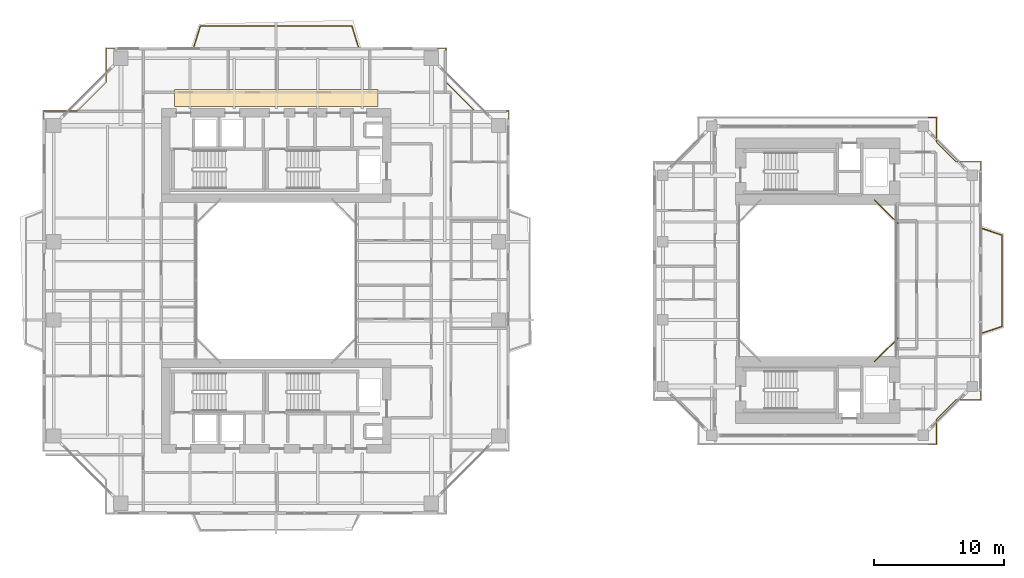
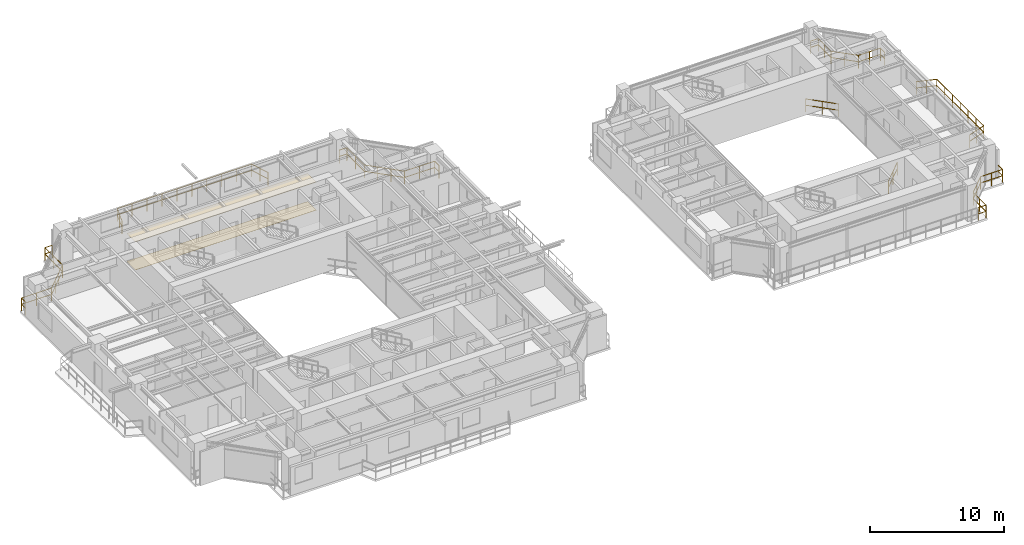
# One storey, part 23 of 23: 8 railings, 2 coverings.
"""IFC4 building model written with IfcOpenShell, lengths in metres."""

from ifc_helpers import new_model, si_unit, direction, frame, origin, origin_2d, place, context, subcontext, project, spatial, polyline, rectangle, outline, extrude, material, layer, layer_set, type_object, element, save


model = new_model("IFC4")

# Units and contexts
model_context = context("Model", 3, precision=1e-05, world=origin(), true_north=direction((0.0, 1.0)))
body_context = subcontext(model_context, "Body", "Model", "MODEL_VIEW")
ifc_project = project(units=[si_unit("LENGTHUNIT", "METRE"), si_unit("AREAUNIT", "SQUARE_METRE"), si_unit("VOLUMEUNIT", "CUBIC_METRE"), si_unit("PLANEANGLEUNIT", "RADIAN"), si_unit("MASSUNIT", "GRAM", prefix="KILO"), si_unit("THERMODYNAMICTEMPERATUREUNIT", "KELVIN"), si_unit("POWERUNIT", "WATT")], contexts=[model_context])

# Site, building, storey
site_placement = place(None, origin())
site = spatial("IfcSite", under=ifc_project, at=site_placement, CompositionType="ELEMENT")
building_placement = place(site_placement, origin())
building = spatial("IfcBuilding", under=site, at=building_placement, Name="Qiaomeng Ring Towers", CompositionType="ELEMENT")
storey_placement = place(building_placement, frame((0.0, 0.0, 100.25)))
storey = spatial("IfcBuildingStorey", under=building, at=storey_placement, Name="L28", CompositionType="ELEMENT", Elevation=100.25)

# Coverings
ifc_material_1 = material(Name="Mineral fibre acoustic ceiling tile", Category="gypsum")
ifc_layer_1 = layer(ifc_material_1, 0.02490234375, Name="Mineral fibre acoustic ceiling tile")
ifc_layer_set_1 = layer_set([ifc_layer_1], Name="Mineral fibre acoustic ceiling tile")
covering_type_1 = type_object("IfcCoveringType", Name="ARC-COV-CEIL1", PredefinedType="CEILING", material=ifc_layer_set_1)
covering_1_placement = place(storey_placement, frame((0.0, 0.0, 2.550048828125)))
element("IfcCovering", 1, at=covering_1_placement, inside=storey, type_object=covering_type_1, Name="L28 Corridor Acoustic Ceiling", PredefinedType="CEILING", context=body_context, shape_type="SweptSolid", body=[
    extrude(outline(polyline([(11.199951171875, 36.35009765625), (11.199951171875, 37.64990234375), (26.800048828125, 37.64990234375), (26.800048828125, 36.35009765625), (11.199951171875, 36.35009765625)])), origin(), (0.0, 0.0, 1.0), 0.02490234375),
])
ifc_material_2 = material(Name="Vitrified porcelain floor tile", Category="ceramic")
ifc_layer_2 = layer(ifc_material_2, 0.02001953125, Name="Vitrified porcelain floor tile")
ifc_layer_set_2 = layer_set([ifc_layer_2], Name="Vitrified porcelain floor tile")
covering_type_2 = type_object("IfcCoveringType", Name="ARC-COV-FLR1", PredefinedType="FLOORING", material=ifc_layer_set_2)
covering_2_placement = place(storey_placement, origin())
element("IfcCovering", 2, at=covering_2_placement, inside=storey, type_object=covering_type_2, Name="L28 Corridor Stone Flooring", PredefinedType="FLOORING", context=body_context, shape_type="SweptSolid", body=[
    extrude(outline(polyline([(11.199951171875, 36.35009765625), (11.199951171875, 37.64990234375), (26.800048828125, 37.64990234375), (26.800048828125, 36.35009765625), (11.199951171875, 36.35009765625)])), origin(), (0.0, 0.0, 1.0), 0.02001953125),
])

# Railings
ifc_material_3 = material(Name="Low-E pale-green laminated safety glass", Category="glass")
railing_type = type_object("IfcRailingType", Name="ARC-RL-BAL1", PredefinedType="BALUSTRADE", material=ifc_material_3)
railing_1_placement = place(storey_placement, frame((36.820068359375, 35.3701171875, 0.0)))
element("IfcRailing", 3, at=railing_1_placement, inside=storey, type_object=railing_type, Name="L28 Balustrade ARC-BAL-NOTCH1-L28-NE", PredefinedType="BALUSTRADE", context=body_context, shape_type="SweptSolid", body=[
    extrude(rectangle(XDim=0.048095703125, YDim=0.048095703125, at=origin_2d()), frame((0.0, 0.0, 1.17578125), z_axis=(0.0, 1.0, 0.0), x_axis=(-1.0, 0.0, 0.0)), (0.0, 0.0, 1.0), 0.64990234375),
    extrude(rectangle(XDim=0.048095703125, YDim=0.048095703125, at=origin_2d()), frame((0.0, 0.0, 0.60009765625), z_axis=(0.0, 1.0, 0.0), x_axis=(-1.0, 0.0, 0.0)), (0.0, 0.0, 1.0), 0.64990234375),
    extrude(rectangle(XDim=0.048095703125, YDim=0.048095703125, at=origin_2d()), frame((0.0, 0.64990234375, 1.17578125), z_axis=(-1.0, 0.0, 0.0), x_axis=(0.0, -1.0, 0.0)), (0.0, 0.0, 1.0), 2.60009765625),
    extrude(rectangle(XDim=0.048095703125, YDim=0.048095703125, at=origin_2d()), frame((0.0, 0.64990234375, 0.60009765625), z_axis=(-1.0, 0.0, 0.0), x_axis=(0.0, -1.0, 0.0)), (0.0, 0.0, 1.0), 2.60009765625),
    extrude(rectangle(XDim=0.048095703125, YDim=0.048095703125, at=origin_2d()), frame((-2.60009765625, 0.64990234375, 1.17578125), z_axis=(-0.707106781187, 0.707106781187, 0.0), x_axis=(-0.707106781187, -0.707106781187, 0.0)), (0.0, 0.0, 1.0), 3.111083984375),
    extrude(rectangle(XDim=0.048095703125, YDim=0.048095703125, at=origin_2d()), frame((-2.60009765625, 0.64990234375, 0.60009765625), z_axis=(-0.707106781187, 0.707106781187, 0.0), x_axis=(-0.707106781187, -0.707106781187, 0.0)), (0.0, 0.0, 1.0), 3.111083984375),
    extrude(rectangle(XDim=0.048095703125, YDim=0.048095703125, at=origin_2d()), frame((-4.800048828125, 2.849853515625, 1.17578125), z_axis=(0.0, 1.0, 0.0), x_axis=(-1.0, 0.0, 0.0)), (0.0, 0.0, 1.0), 2.60009765625),
    extrude(rectangle(XDim=0.048095703125, YDim=0.048095703125, at=origin_2d()), frame((-4.800048828125, 2.849853515625, 0.60009765625), z_axis=(0.0, 1.0, 0.0), x_axis=(-1.0, 0.0, 0.0)), (0.0, 0.0, 1.0), 2.60009765625),
    extrude(rectangle(XDim=0.048095703125, YDim=0.048095703125, at=origin_2d()), frame((-4.800048828125, 5.449951171875, 1.17578125), z_axis=(-1.0, 0.0, 0.0), x_axis=(0.0, -1.0, 0.0)), (0.0, 0.0, 1.0), 0.64990234375),
    extrude(rectangle(XDim=0.048095703125, YDim=0.048095703125, at=origin_2d()), frame((-4.800048828125, 5.449951171875, 0.60009765625), z_axis=(-1.0, 0.0, 0.0), x_axis=(0.0, -1.0, 0.0)), (0.0, 0.0, 1.0), 0.64990234375),
    extrude(rectangle(XDim=0.0419921875, YDim=0.0419921875, at=origin_2d()), origin(), (0.0, 0.0, 1.0), 1.15185546875),
    extrude(rectangle(XDim=0.0419921875, YDim=0.0419921875, at=origin_2d()), frame((0.0, 0.64990234375, 0.0)), (0.0, 0.0, 1.0), 1.15185546875),
    extrude(rectangle(XDim=0.0419921875, YDim=0.0419921875, at=origin_2d()), frame((-1.300048828125, 0.64990234375, 0.0)), (0.0, 0.0, 1.0), 1.15185546875),
    extrude(rectangle(XDim=0.0419921875, YDim=0.0419921875, at=origin_2d()), frame((-2.60009765625, 0.64990234375, 0.0)), (0.0, 0.0, 1.0), 1.15185546875),
    extrude(rectangle(XDim=0.0419921875, YDim=0.0419921875, at=origin_2d()), frame((-3.33349609375, 1.38330078125, 0.0)), (0.0, 0.0, 1.0), 1.15185546875),
    extrude(rectangle(XDim=0.0419921875, YDim=0.0419921875, at=origin_2d()), frame((-4.066650390625, 2.116455078125, 0.0)), (0.0, 0.0, 1.0), 1.15185546875),
    extrude(rectangle(XDim=0.0419921875, YDim=0.0419921875, at=origin_2d()), frame((-4.800048828125, 2.849853515625, 0.0)), (0.0, 0.0, 1.0), 1.15185546875),
    extrude(rectangle(XDim=0.0419921875, YDim=0.0419921875, at=origin_2d()), frame((-4.800048828125, 4.14990234375, 0.0)), (0.0, 0.0, 1.0), 1.15185546875),
    extrude(rectangle(XDim=0.0419921875, YDim=0.0419921875, at=origin_2d()), frame((-4.800048828125, 5.449951171875, 0.0)), (0.0, 0.0, 1.0), 1.15185546875),
    extrude(rectangle(XDim=0.0419921875, YDim=0.0419921875, at=origin_2d()), frame((-5.449951171875, 5.449951171875, 0.0)), (0.0, 0.0, 1.0), 1.15185546875),
])
railing_2_placement = place(storey_placement, frame((6.6298828125, 40.820068359375, 0.0)))
element("IfcRailing", 4, at=railing_2_placement, inside=storey, type_object=railing_type, Name="L28 Balustrade ARC-BAL-NOTCH1-L28-NW", PredefinedType="BALUSTRADE", context=body_context, shape_type="SweptSolid", body=[
    extrude(rectangle(XDim=0.048095703125, YDim=0.048095703125, at=origin_2d()), frame((0.0, 0.0, 1.17578125), z_axis=(-1.0, 0.0, 0.0), x_axis=(0.0, -1.0, 0.0)), (0.0, 0.0, 1.0), 0.64990234375),
    extrude(rectangle(XDim=0.048095703125, YDim=0.048095703125, at=origin_2d()), frame((0.0, 0.0, 0.60009765625), z_axis=(-1.0, 0.0, 0.0), x_axis=(0.0, -1.0, 0.0)), (0.0, 0.0, 1.0), 0.64990234375),
    extrude(rectangle(XDim=0.048095703125, YDim=0.048095703125, at=origin_2d()), frame((-0.64990234375, 0.0, 1.17578125), z_axis=(0.0, -1.0, 0.0), x_axis=(1.0, 0.0, 0.0)), (0.0, 0.0, 1.0), 2.60009765625),
    extrude(rectangle(XDim=0.048095703125, YDim=0.048095703125, at=origin_2d()), frame((-0.64990234375, 0.0, 0.60009765625), z_axis=(0.0, -1.0, 0.0), x_axis=(1.0, 0.0, 0.0)), (0.0, 0.0, 1.0), 2.60009765625),
    extrude(rectangle(XDim=0.048095703125, YDim=0.048095703125, at=origin_2d()), frame((-0.64990234375, -2.60009765625, 1.17578125), z_axis=(-0.707106781187, -0.707106781187, 0.0), x_axis=(0.707106781187, -0.707106781187, 0.0)), (0.0, 0.0, 1.0), 3.111083984375),
    extrude(rectangle(XDim=0.048095703125, YDim=0.048095703125, at=origin_2d()), frame((-0.64990234375, -2.60009765625, 0.60009765625), z_axis=(-0.707106781187, -0.707106781187, 0.0), x_axis=(0.707106781187, -0.707106781187, 0.0)), (0.0, 0.0, 1.0), 3.111083984375),
    extrude(rectangle(XDim=0.048095703125, YDim=0.048095703125, at=origin_2d()), frame((-2.849853515625, -4.800048828125, 1.17578125), z_axis=(-1.0, 0.0, 0.0), x_axis=(0.0, -1.0, 0.0)), (0.0, 0.0, 1.0), 2.60009765625),
    extrude(rectangle(XDim=0.048095703125, YDim=0.048095703125, at=origin_2d()), frame((-2.849853515625, -4.800048828125, 0.60009765625), z_axis=(-1.0, 0.0, 0.0), x_axis=(0.0, -1.0, 0.0)), (0.0, 0.0, 1.0), 2.60009765625),
    extrude(rectangle(XDim=0.048095703125, YDim=0.048095703125, at=origin_2d()), frame((-5.449951171875, -4.800048828125, 1.17578125), z_axis=(0.0, -1.0, 0.0), x_axis=(1.0, 0.0, 0.0)), (0.0, 0.0, 1.0), 0.64990234375),
    extrude(rectangle(XDim=0.048095703125, YDim=0.048095703125, at=origin_2d()), frame((-5.449951171875, -4.800048828125, 0.60009765625), z_axis=(0.0, -1.0, 0.0), x_axis=(1.0, 0.0, 0.0)), (0.0, 0.0, 1.0), 0.64990234375),
    extrude(rectangle(XDim=0.0419921875, YDim=0.0419921875, at=origin_2d()), origin(), (0.0, 0.0, 1.0), 1.15185546875),
    extrude(rectangle(XDim=0.0419921875, YDim=0.0419921875, at=origin_2d()), frame((-0.64990234375, 0.0, 0.0)), (0.0, 0.0, 1.0), 1.15185546875),
    extrude(rectangle(XDim=0.0419921875, YDim=0.0419921875, at=origin_2d()), frame((-0.64990234375, -1.300048828125, 0.0)), (0.0, 0.0, 1.0), 1.15185546875),
    extrude(rectangle(XDim=0.0419921875, YDim=0.0419921875, at=origin_2d()), frame((-0.64990234375, -2.60009765625, 0.0)), (0.0, 0.0, 1.0), 1.15185546875),
    extrude(rectangle(XDim=0.0419921875, YDim=0.0419921875, at=origin_2d()), frame((-1.38330078125, -3.33349609375, 0.0)), (0.0, 0.0, 1.0), 1.15185546875),
    extrude(rectangle(XDim=0.0419921875, YDim=0.0419921875, at=origin_2d()), frame((-2.116455078125, -4.066650390625, 0.0)), (0.0, 0.0, 1.0), 1.15185546875),
    extrude(rectangle(XDim=0.0419921875, YDim=0.0419921875, at=origin_2d()), frame((-2.849853515625, -4.800048828125, 0.0)), (0.0, 0.0, 1.0), 1.15185546875),
    extrude(rectangle(XDim=0.0419921875, YDim=0.0419921875, at=origin_2d()), frame((-4.14990234375, -4.800048828125, 0.0)), (0.0, 0.0, 1.0), 1.15185546875),
    extrude(rectangle(XDim=0.0419921875, YDim=0.0419921875, at=origin_2d()), frame((-5.449951171875, -4.800048828125, 0.0)), (0.0, 0.0, 1.0), 1.15185546875),
    extrude(rectangle(XDim=0.0419921875, YDim=0.0419921875, at=origin_2d()), frame((-5.449951171875, -5.449951171875, 0.0)), (0.0, 0.0, 1.0), 1.15185546875),
])
railing_3_placement = place(storey_placement, frame((12.699951171875, 40.949951171875, 0.0)))
element("IfcRailing", 5, at=railing_3_placement, inside=storey, type_object=railing_type, Name="L28 Balustrade ARC-BAL-L28-T1-N", PredefinedType="BALUSTRADE", context=body_context, shape_type="SweptSolid", body=[
    extrude(rectangle(XDim=0.048095703125, YDim=0.048095703125, at=origin_2d()), frame((0.0, 0.0, 1.17578125), z_axis=(0.299967512283, 0.953949417723, 0.0), x_axis=(-0.953949417723, 0.299967512283, 0.0)), (0.0, 0.0, 1.0), 1.666748046875),
    extrude(rectangle(XDim=0.048095703125, YDim=0.048095703125, at=origin_2d()), frame((0.0, 0.0, 0.60009765625), z_axis=(0.299967512283, 0.953949417723, 0.0), x_axis=(-0.953949417723, 0.299967512283, 0.0)), (0.0, 0.0, 1.0), 1.666748046875),
    extrude(rectangle(XDim=0.048095703125, YDim=0.048095703125, at=origin_2d()), frame((0.5, 1.590087890625, 1.17578125), z_axis=(1.0, 0.0, 0.0), x_axis=(0.0, 1.0, 0.0)), (0.0, 0.0, 1.0), 11.60009765625),
    extrude(rectangle(XDim=0.048095703125, YDim=0.048095703125, at=origin_2d()), frame((0.5, 1.590087890625, 0.60009765625), z_axis=(1.0, 0.0, 0.0), x_axis=(0.0, 1.0, 0.0)), (0.0, 0.0, 1.0), 11.60009765625),
    extrude(rectangle(XDim=0.048095703125, YDim=0.048095703125, at=origin_2d()), frame((12.10009765625, 1.590087890625, 1.17578125), z_axis=(0.299967512283, -0.953949417723, 0.0), x_axis=(0.953949417723, 0.299967512283, 0.0)), (0.0, 0.0, 1.0), 1.666748046875),
    extrude(rectangle(XDim=0.048095703125, YDim=0.048095703125, at=origin_2d()), frame((12.10009765625, 1.590087890625, 0.60009765625), z_axis=(0.299967512283, -0.953949417723, 0.0), x_axis=(0.953949417723, 0.299967512283, 0.0)), (0.0, 0.0, 1.0), 1.666748046875),
    extrude(rectangle(XDim=0.0419921875, YDim=0.0419921875, at=origin_2d()), origin(), (0.0, 0.0, 1.0), 1.15185546875),
    extrude(rectangle(XDim=0.0419921875, YDim=0.0419921875, at=origin_2d()), frame((0.25, 0.794921875, 0.0)), (0.0, 0.0, 1.0), 1.15185546875),
    extrude(rectangle(XDim=0.0419921875, YDim=0.0419921875, at=origin_2d()), frame((0.5, 1.590087890625, 0.0)), (0.0, 0.0, 1.0), 1.15185546875),
    extrude(rectangle(XDim=0.0419921875, YDim=0.0419921875, at=origin_2d()), frame((1.788818359375, 1.590087890625, 0.0)), (0.0, 0.0, 1.0), 1.15185546875),
    extrude(rectangle(XDim=0.0419921875, YDim=0.0419921875, at=origin_2d()), frame((3.077880859375, 1.590087890625, 0.0)), (0.0, 0.0, 1.0), 1.15185546875),
    extrude(rectangle(XDim=0.0419921875, YDim=0.0419921875, at=origin_2d()), frame((4.36669921875, 1.590087890625, 0.0)), (0.0, 0.0, 1.0), 1.15185546875),
    extrude(rectangle(XDim=0.0419921875, YDim=0.0419921875, at=origin_2d()), frame((5.655517578125, 1.590087890625, 0.0)), (0.0, 0.0, 1.0), 1.15185546875),
    extrude(rectangle(XDim=0.0419921875, YDim=0.0419921875, at=origin_2d()), frame((6.944580078125, 1.590087890625, 0.0)), (0.0, 0.0, 1.0), 1.15185546875),
    extrude(rectangle(XDim=0.0419921875, YDim=0.0419921875, at=origin_2d()), frame((8.2333984375, 1.590087890625, 0.0)), (0.0, 0.0, 1.0), 1.15185546875),
    extrude(rectangle(XDim=0.0419921875, YDim=0.0419921875, at=origin_2d()), frame((9.522216796875, 1.590087890625, 0.0)), (0.0, 0.0, 1.0), 1.15185546875),
    extrude(rectangle(XDim=0.0419921875, YDim=0.0419921875, at=origin_2d()), frame((10.811279296875, 1.590087890625, 0.0)), (0.0, 0.0, 1.0), 1.15185546875),
    extrude(rectangle(XDim=0.0419921875, YDim=0.0419921875, at=origin_2d()), frame((12.10009765625, 1.590087890625, 0.0)), (0.0, 0.0, 1.0), 1.15185546875),
    extrude(rectangle(XDim=0.0419921875, YDim=0.0419921875, at=origin_2d()), frame((12.35009765625, 0.794921875, 0.0)), (0.0, 0.0, 1.0), 1.15185546875),
    extrude(rectangle(XDim=0.0419921875, YDim=0.0419921875, at=origin_2d()), frame((12.60009765625, 0.0, 0.0)), (0.0, 0.0, 1.0), 1.15185546875),
])
railing_4_placement = place(storey_placement, frame((64.8798828125, 16.820068359375, 0.0)))
element("IfcRailing", 6, at=railing_4_placement, inside=storey, type_object=railing_type, Name="L28 Balustrade ARC-BAL-WELL2-L28-1", PredefinedType="BALUSTRADE", context=body_context, shape_type="SweptSolid", body=[
    extrude(rectangle(XDim=0.048095703125, YDim=0.048095703125, at=origin_2d()), frame((0.0, 0.0, 1.17578125), z_axis=(0.707106781187, 0.707106781187, 0.0), x_axis=(-0.707106781187, 0.707106781187, 0.0)), (0.0, 0.0, 1.0), 2.545654296875),
    extrude(rectangle(XDim=0.048095703125, YDim=0.048095703125, at=origin_2d()), frame((0.0, 0.0, 0.60009765625), z_axis=(0.707106781187, 0.707106781187, 0.0), x_axis=(-0.707106781187, 0.707106781187, 0.0)), (0.0, 0.0, 1.0), 2.545654296875),
    extrude(rectangle(XDim=0.0419921875, YDim=0.0419921875, at=origin_2d()), origin(), (0.0, 0.0, 1.0), 1.15185546875),
    extrude(rectangle(XDim=0.0419921875, YDim=0.0419921875, at=origin_2d()), frame((0.89990234375, 0.89990234375, 0.0)), (0.0, 0.0, 1.0), 1.15185546875),
    extrude(rectangle(XDim=0.0419921875, YDim=0.0419921875, at=origin_2d()), frame((1.800048828125, 1.800048828125, 0.0)), (0.0, 0.0, 1.0), 1.15185546875),
])
railing_5_placement = place(storey_placement, frame((66.679931640625, 27.3798828125, 0.0)))
element("IfcRailing", 7, at=railing_5_placement, inside=storey, type_object=railing_type, Name="L28 Balustrade ARC-BAL-WELL2-L28-2", PredefinedType="BALUSTRADE", context=body_context, shape_type="SweptSolid", body=[
    extrude(rectangle(XDim=0.048095703125, YDim=0.048095703125, at=origin_2d()), frame((0.0, 0.0, 1.17578125), z_axis=(-0.707106781187, 0.707106781187, 0.0), x_axis=(-0.707106781187, -0.707106781187, 0.0)), (0.0, 0.0, 1.0), 2.545654296875),
    extrude(rectangle(XDim=0.048095703125, YDim=0.048095703125, at=origin_2d()), frame((0.0, 0.0, 0.60009765625), z_axis=(-0.707106781187, 0.707106781187, 0.0), x_axis=(-0.707106781187, -0.707106781187, 0.0)), (0.0, 0.0, 1.0), 2.545654296875),
    extrude(rectangle(XDim=0.0419921875, YDim=0.0419921875, at=origin_2d()), origin(), (0.0, 0.0, 1.0), 1.15185546875),
    extrude(rectangle(XDim=0.0419921875, YDim=0.0419921875, at=origin_2d()), frame((-0.89990234375, 0.89990234375, 0.0)), (0.0, 0.0, 1.0), 1.15185546875),
    extrude(rectangle(XDim=0.0419921875, YDim=0.0419921875, at=origin_2d()), frame((-1.800048828125, 1.800048828125, 0.0)), (0.0, 0.0, 1.0), 1.15185546875),
])
railing_6_placement = place(storey_placement, frame((68.969970703125, 10.47998046875, 0.0)))
element("IfcRailing", 8, at=railing_6_placement, inside=storey, type_object=railing_type, Name="L28 Balustrade ARC-BAL-NOTCH2-L28-SE", PredefinedType="BALUSTRADE", context=body_context, shape_type="SweptSolid", body=[
    extrude(rectangle(XDim=0.048095703125, YDim=0.048095703125, at=origin_2d()), frame((0.0, 0.0, 1.17578125), z_axis=(1.0, 0.0, 0.0), x_axis=(0.0, 1.0, 0.0)), (0.0, 0.0, 1.0), 0.650146484375),
    extrude(rectangle(XDim=0.048095703125, YDim=0.048095703125, at=origin_2d()), frame((0.0, 0.0, 0.60009765625), z_axis=(1.0, 0.0, 0.0), x_axis=(0.0, 1.0, 0.0)), (0.0, 0.0, 1.0), 0.650146484375),
    extrude(rectangle(XDim=0.048095703125, YDim=0.048095703125, at=origin_2d()), frame((0.650146484375, 0.0, 1.17578125), z_axis=(0.0, 1.0, 0.0), x_axis=(-1.0, 0.0, 0.0)), (0.0, 0.0, 1.0), 1.89990234375),
    extrude(rectangle(XDim=0.048095703125, YDim=0.048095703125, at=origin_2d()), frame((0.650146484375, 0.0, 0.60009765625), z_axis=(0.0, 1.0, 0.0), x_axis=(-1.0, 0.0, 0.0)), (0.0, 0.0, 1.0), 1.89990234375),
    extrude(rectangle(XDim=0.048095703125, YDim=0.048095703125, at=origin_2d()), frame((0.650146484375, 1.89990234375, 1.17578125), z_axis=(0.707106781187, 0.707106781187, 0.0), x_axis=(-0.707106781187, 0.707106781187, 0.0)), (0.0, 0.0, 1.0), 2.121337890625),
    extrude(rectangle(XDim=0.048095703125, YDim=0.048095703125, at=origin_2d()), frame((0.650146484375, 1.89990234375, 0.60009765625), z_axis=(0.707106781187, 0.707106781187, 0.0), x_axis=(-0.707106781187, 0.707106781187, 0.0)), (0.0, 0.0, 1.0), 2.121337890625),
    extrude(rectangle(XDim=0.048095703125, YDim=0.048095703125, at=origin_2d()), frame((2.150146484375, 3.39990234375, 1.17578125), z_axis=(1.0, 0.0, 0.0), x_axis=(0.0, 1.0, 0.0)), (0.0, 0.0, 1.0), 1.89990234375),
    extrude(rectangle(XDim=0.048095703125, YDim=0.048095703125, at=origin_2d()), frame((2.150146484375, 3.39990234375, 0.60009765625), z_axis=(1.0, 0.0, 0.0), x_axis=(0.0, 1.0, 0.0)), (0.0, 0.0, 1.0), 1.89990234375),
    extrude(rectangle(XDim=0.048095703125, YDim=0.048095703125, at=origin_2d()), frame((4.050048828125, 3.39990234375, 1.17578125), z_axis=(0.0, 1.0, 0.0), x_axis=(-1.0, 0.0, 0.0)), (0.0, 0.0, 1.0), 0.650146484375),
    extrude(rectangle(XDim=0.048095703125, YDim=0.048095703125, at=origin_2d()), frame((4.050048828125, 3.39990234375, 0.60009765625), z_axis=(0.0, 1.0, 0.0), x_axis=(-1.0, 0.0, 0.0)), (0.0, 0.0, 1.0), 0.650146484375),
    extrude(rectangle(XDim=0.0419921875, YDim=0.0419921875, at=origin_2d()), origin(), (0.0, 0.0, 1.0), 1.15185546875),
    extrude(rectangle(XDim=0.0419921875, YDim=0.0419921875, at=origin_2d()), frame((0.650146484375, 0.0, 0.0)), (0.0, 0.0, 1.0), 1.15185546875),
    extrude(rectangle(XDim=0.0419921875, YDim=0.0419921875, at=origin_2d()), frame((0.650146484375, 0.949951171875, 0.0)), (0.0, 0.0, 1.0), 1.15185546875),
    extrude(rectangle(XDim=0.0419921875, YDim=0.0419921875, at=origin_2d()), frame((0.650146484375, 1.89990234375, 0.0)), (0.0, 0.0, 1.0), 1.15185546875),
    extrude(rectangle(XDim=0.0419921875, YDim=0.0419921875, at=origin_2d()), frame((1.400146484375, 2.64990234375, 0.0)), (0.0, 0.0, 1.0), 1.15185546875),
    extrude(rectangle(XDim=0.0419921875, YDim=0.0419921875, at=origin_2d()), frame((2.150146484375, 3.39990234375, 0.0)), (0.0, 0.0, 1.0), 1.15185546875),
    extrude(rectangle(XDim=0.0419921875, YDim=0.0419921875, at=origin_2d()), frame((3.10009765625, 3.39990234375, 0.0)), (0.0, 0.0, 1.0), 1.15185546875),
    extrude(rectangle(XDim=0.0419921875, YDim=0.0419921875, at=origin_2d()), frame((4.050048828125, 3.39990234375, 0.0)), (0.0, 0.0, 1.0), 1.15185546875),
    extrude(rectangle(XDim=0.0419921875, YDim=0.0419921875, at=origin_2d()), frame((4.050048828125, 4.050048828125, 0.0)), (0.0, 0.0, 1.0), 1.15185546875),
])
railing_7_placement = place(storey_placement, frame((73.02001953125, 31.469970703125, 0.0)))
element("IfcRailing", 9, at=railing_7_placement, inside=storey, type_object=railing_type, Name="L28 Balustrade ARC-BAL-NOTCH2-L28-NE", PredefinedType="BALUSTRADE", context=body_context, shape_type="SweptSolid", body=[
    extrude(rectangle(XDim=0.048095703125, YDim=0.048095703125, at=origin_2d()), frame((0.0, 0.0, 1.17578125), z_axis=(0.0, 1.0, 0.0), x_axis=(-1.0, 0.0, 0.0)), (0.0, 0.0, 1.0), 0.650146484375),
    extrude(rectangle(XDim=0.048095703125, YDim=0.048095703125, at=origin_2d()), frame((0.0, 0.0, 0.60009765625), z_axis=(0.0, 1.0, 0.0), x_axis=(-1.0, 0.0, 0.0)), (0.0, 0.0, 1.0), 0.650146484375),
    extrude(rectangle(XDim=0.048095703125, YDim=0.048095703125, at=origin_2d()), frame((0.0, 0.650146484375, 1.17578125), z_axis=(-1.0, 0.0, 0.0), x_axis=(0.0, -1.0, 0.0)), (0.0, 0.0, 1.0), 1.89990234375),
    extrude(rectangle(XDim=0.048095703125, YDim=0.048095703125, at=origin_2d()), frame((0.0, 0.650146484375, 0.60009765625), z_axis=(-1.0, 0.0, 0.0), x_axis=(0.0, -1.0, 0.0)), (0.0, 0.0, 1.0), 1.89990234375),
    extrude(rectangle(XDim=0.048095703125, YDim=0.048095703125, at=origin_2d()), frame((-1.89990234375, 0.650146484375, 1.17578125), z_axis=(-0.707106781187, 0.707106781187, 0.0), x_axis=(-0.707106781187, -0.707106781187, 0.0)), (0.0, 0.0, 1.0), 2.121337890625),
    extrude(rectangle(XDim=0.048095703125, YDim=0.048095703125, at=origin_2d()), frame((-1.89990234375, 0.650146484375, 0.60009765625), z_axis=(-0.707106781187, 0.707106781187, 0.0), x_axis=(-0.707106781187, -0.707106781187, 0.0)), (0.0, 0.0, 1.0), 2.121337890625),
    extrude(rectangle(XDim=0.048095703125, YDim=0.048095703125, at=origin_2d()), frame((-3.39990234375, 2.150146484375, 1.17578125), z_axis=(0.0, 1.0, 0.0), x_axis=(-1.0, 0.0, 0.0)), (0.0, 0.0, 1.0), 1.89990234375),
    extrude(rectangle(XDim=0.048095703125, YDim=0.048095703125, at=origin_2d()), frame((-3.39990234375, 2.150146484375, 0.60009765625), z_axis=(0.0, 1.0, 0.0), x_axis=(-1.0, 0.0, 0.0)), (0.0, 0.0, 1.0), 1.89990234375),
    extrude(rectangle(XDim=0.048095703125, YDim=0.048095703125, at=origin_2d()), frame((-3.39990234375, 4.050048828125, 1.17578125), z_axis=(-1.0, 0.0, 0.0), x_axis=(0.0, -1.0, 0.0)), (0.0, 0.0, 1.0), 0.650146484375),
    extrude(rectangle(XDim=0.048095703125, YDim=0.048095703125, at=origin_2d()), frame((-3.39990234375, 4.050048828125, 0.60009765625), z_axis=(-1.0, 0.0, 0.0), x_axis=(0.0, -1.0, 0.0)), (0.0, 0.0, 1.0), 0.650146484375),
    extrude(rectangle(XDim=0.0419921875, YDim=0.0419921875, at=origin_2d()), origin(), (0.0, 0.0, 1.0), 1.15185546875),
    extrude(rectangle(XDim=0.0419921875, YDim=0.0419921875, at=origin_2d()), frame((0.0, 0.650146484375, 0.0)), (0.0, 0.0, 1.0), 1.15185546875),
    extrude(rectangle(XDim=0.0419921875, YDim=0.0419921875, at=origin_2d()), frame((-0.949951171875, 0.650146484375, 0.0)), (0.0, 0.0, 1.0), 1.15185546875),
    extrude(rectangle(XDim=0.0419921875, YDim=0.0419921875, at=origin_2d()), frame((-1.89990234375, 0.650146484375, 0.0)), (0.0, 0.0, 1.0), 1.15185546875),
    extrude(rectangle(XDim=0.0419921875, YDim=0.0419921875, at=origin_2d()), frame((-2.64990234375, 1.400146484375, 0.0)), (0.0, 0.0, 1.0), 1.15185546875),
    extrude(rectangle(XDim=0.0419921875, YDim=0.0419921875, at=origin_2d()), frame((-3.39990234375, 2.150146484375, 0.0)), (0.0, 0.0, 1.0), 1.15185546875),
    extrude(rectangle(XDim=0.0419921875, YDim=0.0419921875, at=origin_2d()), frame((-3.39990234375, 3.10009765625, 0.0)), (0.0, 0.0, 1.0), 1.15185546875),
    extrude(rectangle(XDim=0.0419921875, YDim=0.0419921875, at=origin_2d()), frame((-3.39990234375, 4.050048828125, 0.0)), (0.0, 0.0, 1.0), 1.15185546875),
    extrude(rectangle(XDim=0.0419921875, YDim=0.0419921875, at=origin_2d()), frame((-4.050048828125, 4.050048828125, 0.0)), (0.0, 0.0, 1.0), 1.15185546875),
])
railing_8_placement = place(storey_placement, frame((73.14990234375, 19.0, 0.0)))
element("IfcRailing", 10, at=railing_8_placement, inside=storey, type_object=railing_type, Name="L28 Balustrade ARC-BAL-L28-T2-E", PredefinedType="BALUSTRADE", context=body_context, shape_type="SweptSolid", body=[
    extrude(rectangle(XDim=0.048095703125, YDim=0.048095703125, at=origin_2d()), frame((0.0, 0.0, 1.17578125), z_axis=(0.948044476945, 0.318137815629, 0.0), x_axis=(-0.318137815629, 0.948044476945, 0.0)), (0.0, 0.0, 1.0), 1.571533203125),
    extrude(rectangle(XDim=0.048095703125, YDim=0.048095703125, at=origin_2d()), frame((0.0, 0.0, 0.60009765625), z_axis=(0.948044476945, 0.318137815629, 0.0), x_axis=(-0.318137815629, 0.948044476945, 0.0)), (0.0, 0.0, 1.0), 1.571533203125),
    extrude(rectangle(XDim=0.048095703125, YDim=0.048095703125, at=origin_2d()), frame((1.489990234375, 0.5, 1.17578125), z_axis=(0.0, 1.0, 0.0), x_axis=(-1.0, 0.0, 0.0)), (0.0, 0.0, 1.0), 7.0),
    extrude(rectangle(XDim=0.048095703125, YDim=0.048095703125, at=origin_2d()), frame((1.489990234375, 0.5, 0.60009765625), z_axis=(0.0, 1.0, 0.0), x_axis=(-1.0, 0.0, 0.0)), (0.0, 0.0, 1.0), 7.0),
    extrude(rectangle(XDim=0.048095703125, YDim=0.048095703125, at=origin_2d()), frame((1.489990234375, 7.5, 1.17578125), z_axis=(-0.948044476945, 0.318137815629, 0.0), x_axis=(-0.318137815629, -0.948044476945, 0.0)), (0.0, 0.0, 1.0), 1.571533203125),
    extrude(rectangle(XDim=0.048095703125, YDim=0.048095703125, at=origin_2d()), frame((1.489990234375, 7.5, 0.60009765625), z_axis=(-0.948044476945, 0.318137815629, 0.0), x_axis=(-0.318137815629, -0.948044476945, 0.0)), (0.0, 0.0, 1.0), 1.571533203125),
    extrude(rectangle(XDim=0.0419921875, YDim=0.0419921875, at=origin_2d()), origin(), (0.0, 0.0, 1.0), 1.15185546875),
    extrude(rectangle(XDim=0.0419921875, YDim=0.0419921875, at=origin_2d()), frame((0.7451171875, 0.25, 0.0)), (0.0, 0.0, 1.0), 1.15185546875),
    extrude(rectangle(XDim=0.0419921875, YDim=0.0419921875, at=origin_2d()), frame((1.489990234375, 0.5, 0.0)), (0.0, 0.0, 1.0), 1.15185546875),
    extrude(rectangle(XDim=0.0419921875, YDim=0.0419921875, at=origin_2d()), frame((1.489990234375, 1.666748046875, 0.0)), (0.0, 0.0, 1.0), 1.15185546875),
    extrude(rectangle(XDim=0.0419921875, YDim=0.0419921875, at=origin_2d()), frame((1.489990234375, 2.833251953125, 0.0)), (0.0, 0.0, 1.0), 1.15185546875),
    extrude(rectangle(XDim=0.0419921875, YDim=0.0419921875, at=origin_2d()), frame((1.489990234375, 4.0, 0.0)), (0.0, 0.0, 1.0), 1.15185546875),
    extrude(rectangle(XDim=0.0419921875, YDim=0.0419921875, at=origin_2d()), frame((1.489990234375, 5.166748046875, 0.0)), (0.0, 0.0, 1.0), 1.15185546875),
    extrude(rectangle(XDim=0.0419921875, YDim=0.0419921875, at=origin_2d()), frame((1.489990234375, 6.333251953125, 0.0)), (0.0, 0.0, 1.0), 1.15185546875),
    extrude(rectangle(XDim=0.0419921875, YDim=0.0419921875, at=origin_2d()), frame((1.489990234375, 7.5, 0.0)), (0.0, 0.0, 1.0), 1.15185546875),
    extrude(rectangle(XDim=0.0419921875, YDim=0.0419921875, at=origin_2d()), frame((0.7451171875, 7.75, 0.0)), (0.0, 0.0, 1.0), 1.15185546875),
    extrude(rectangle(XDim=0.0419921875, YDim=0.0419921875, at=origin_2d()), frame((0.0, 8.0, 0.0)), (0.0, 0.0, 1.0), 1.15185546875),
])

save(model, "model.ifc")
